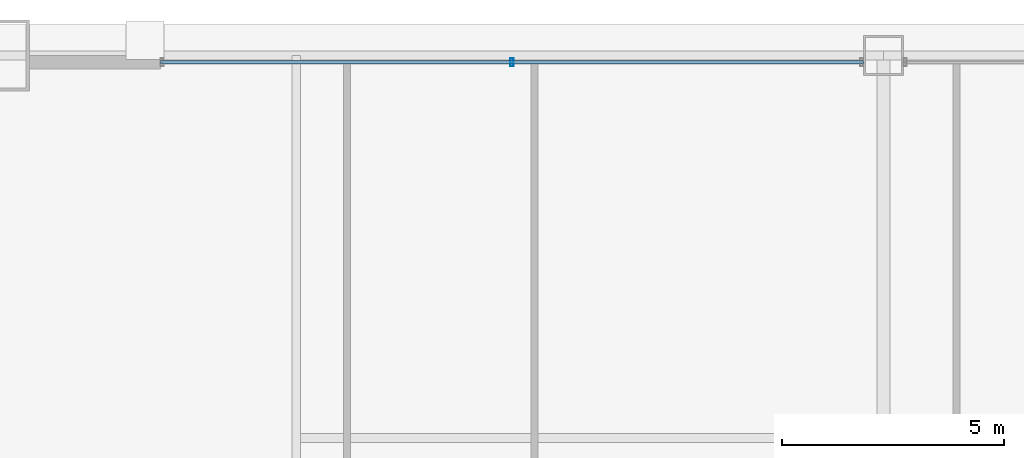
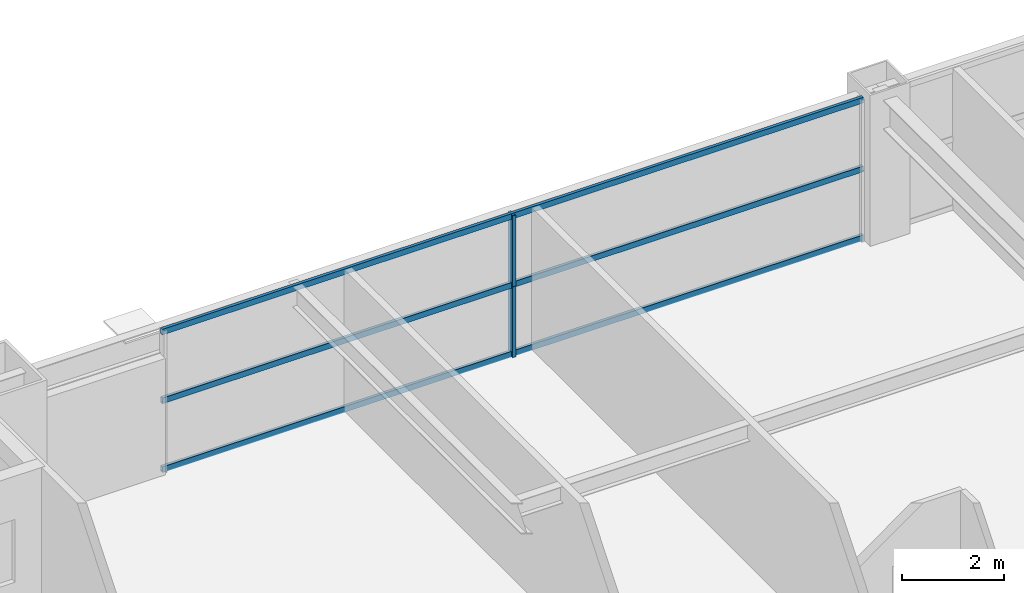
# One storey, part 25 of 39: 5 members, 1 element without a shape of its own.
"""IFC4 building model written with IfcOpenShell, lengths in metres."""

from ifc_helpers import new_model, si_unit, direction, frame, origin, origin_2d, place, context, subcontext, project, spatial, hollow_rectangle, extrude, source, transform, mapped, material, layer, layer_set, material_profile, profile_set, type_object, element, aggregate, save


model = new_model("IFC4")

# Units and contexts
model_context = context("Model", 3, precision=1e-05, world=origin(), true_north=direction((0.0, 1.0)))
body_context = subcontext(model_context, "Body", "Model", "MODEL_VIEW")
ifc_project = project(units=[si_unit("LENGTHUNIT", "METRE"), si_unit("AREAUNIT", "SQUARE_METRE"), si_unit("VOLUMEUNIT", "CUBIC_METRE"), si_unit("PLANEANGLEUNIT", "RADIAN"), si_unit("MASSUNIT", "GRAM", prefix="KILO"), si_unit("THERMODYNAMICTEMPERATUREUNIT", "KELVIN"), si_unit("POWERUNIT", "WATT")], contexts=[model_context])

# Site, building, storey
site_placement = place(None, origin())
site = spatial("IfcSite", under=ifc_project, at=site_placement, CompositionType="ELEMENT")
building_placement = place(site_placement, origin())
building = spatial("IfcBuilding", under=site, at=building_placement, Name="Yuzanri Waterfront Tower", CompositionType="ELEMENT")
storey_placement = place(building_placement, frame((0.0, 0.0, 148.800048828125)))
storey = spatial("IfcBuildingStorey", under=building, at=storey_placement, Name="L39", CompositionType="ELEMENT", Elevation=148.800048828125)

# Curtain wall, members
ifc_material_1 = material(Name="Anodized Architectural Bronze", Category="metal")
ifc_layer = layer(ifc_material_1, 0.159912109375)
ifc_layer_set = layer_set([ifc_layer], Name="Anodized Architectural Bronze")
curtain_wall_type = type_object("IfcCurtainWallType", Name="Anodized Bronze Hotel Upper-Tier Solar-Control Unitized Curtain Wall 7800", PredefinedType="NOTDEFINED", material=ifc_layer_set)
curtain_wall_placement = place(storey_placement, origin())
curtain_wall = element("IfcCurtainWall", 1, at=curtain_wall_placement, inside=storey, type_object=curtain_wall_type, Name="L39 Curtain Wall CW-L39-NL", PredefinedType="NOTDEFINED")
ifc_material_2 = material(Name="Anodized Architectural Bronze", Category="metal")
ifc_material_profile_1 = material_profile(ifc_material_2, hollow_rectangle(XDim=0.070068359375, YDim=0.179931640625, WallThickness=0.00390625, at=origin_2d()), Name="CWM 70x180")
ifc_profile_set_1 = profile_set([ifc_material_profile_1], Name="Anodized Architectural Bronze")
member_type_1 = type_object("IfcMemberType", Name="Anodized Bronze Standard Curtain-Wall Mullion 70x180", PredefinedType="MULLION", material=ifc_profile_set_1)
shared_shape_1 = source(origin(), body_context, "Body", "SweptSolid", [
    extrude(hollow_rectangle(XDim=0.070068359375, YDim=0.179931640625, WallThickness=0.00390625, at=origin_2d()), origin(), (0.0, 0.0, 1.0), 1.68798828125),
])
member_1_placement = place(storey_placement, frame((28.64990234375, 49.25, 0.0), z_axis=(0.0, 0.0, 1.0), x_axis=(1.0, 0.0, 0.0)))
member_1 = element("IfcMember", 2, at=member_1_placement, type_object=member_type_1, Name="CW-L39-NL Lower Mullion 01", PredefinedType="MULLION", context=body_context, shape_type="MappedRepresentation", body=[
    mapped(shared_shape_1, transform((0.0, 0.0, 0.0), scale=1.0)),
])
member_2_placement = place(storey_placement, frame((28.64990234375, 49.25, 1.69189453125), z_axis=(0.0, 0.0, 1.0), x_axis=(1.0, 0.0, 0.0)))
member_2 = element("IfcMember", 3, at=member_2_placement, type_object=member_type_1, Name="CW-L39-NL Upper Mullion 01", PredefinedType="MULLION", context=body_context, shape_type="MappedRepresentation", body=[
    mapped(shared_shape_1, transform((0.0, 0.0, 0.0), scale=1.0)),
])
ifc_material_3 = material(Name="Anodized Architectural Bronze", Category="metal")
ifc_material_profile_2 = material_profile(ifc_material_3, hollow_rectangle(XDim=0.070068359375, YDim=0.135009765625, WallThickness=0.00341796875, at=origin_2d()), Name="CWT 70x135")
ifc_profile_set_2 = profile_set([ifc_material_profile_2], Name="Anodized Architectural Bronze")
member_type_2 = type_object("IfcMemberType", Name="Anodized Bronze Standard Curtain-Wall Transom 70x135", PredefinedType="USERDEFINED", material=ifc_profile_set_2)
shared_shape_2 = source(origin(), body_context, "Body", "SweptSolid", [
    extrude(hollow_rectangle(XDim=0.070068359375, YDim=0.135009765625, WallThickness=0.00341796875, at=origin_2d()), origin(), (0.0, 0.0, 1.0), 15.800048828125),
])
member_3_placement = place(storey_placement, frame((20.75, 49.25, 0.050048828125), z_axis=(1.0, 0.0, 0.0), x_axis=(0.0, 1.0, 0.0)))
member_3 = element("IfcMember", 4, at=member_3_placement, type_object=member_type_2, Name="CW-L39-NL Transom 1", ObjectType="TRANSOM", PredefinedType="USERDEFINED", context=body_context, shape_type="MappedRepresentation", body=[
    mapped(shared_shape_2, transform((0.0, 0.0, 0.0), scale=1.0)),
])
member_4_placement = place(storey_placement, frame((20.75, 49.25, 1.68994140625), z_axis=(1.0, 0.0, 0.0), x_axis=(0.0, 1.0, 0.0)))
member_4 = element("IfcMember", 5, at=member_4_placement, type_object=member_type_2, Name="CW-L39-NL Transom 2", ObjectType="TRANSOM", PredefinedType="USERDEFINED", context=body_context, shape_type="MappedRepresentation", body=[
    mapped(shared_shape_2, transform((0.0, 0.0, 0.0), scale=1.0)),
])
member_5_placement = place(storey_placement, frame((20.75, 49.25, 3.329833984375), z_axis=(1.0, 0.0, 0.0), x_axis=(0.0, 1.0, 0.0)))
member_5 = element("IfcMember", 6, at=member_5_placement, type_object=member_type_2, Name="CW-L39-NL Transom 3", ObjectType="TRANSOM", PredefinedType="USERDEFINED", context=body_context, shape_type="MappedRepresentation", body=[
    mapped(shared_shape_2, transform((0.0, 0.0, 0.0), scale=1.0)),
])
aggregate(curtain_wall, [member_1, member_2, member_3, member_4, member_5])

save(model, "model.ifc")
